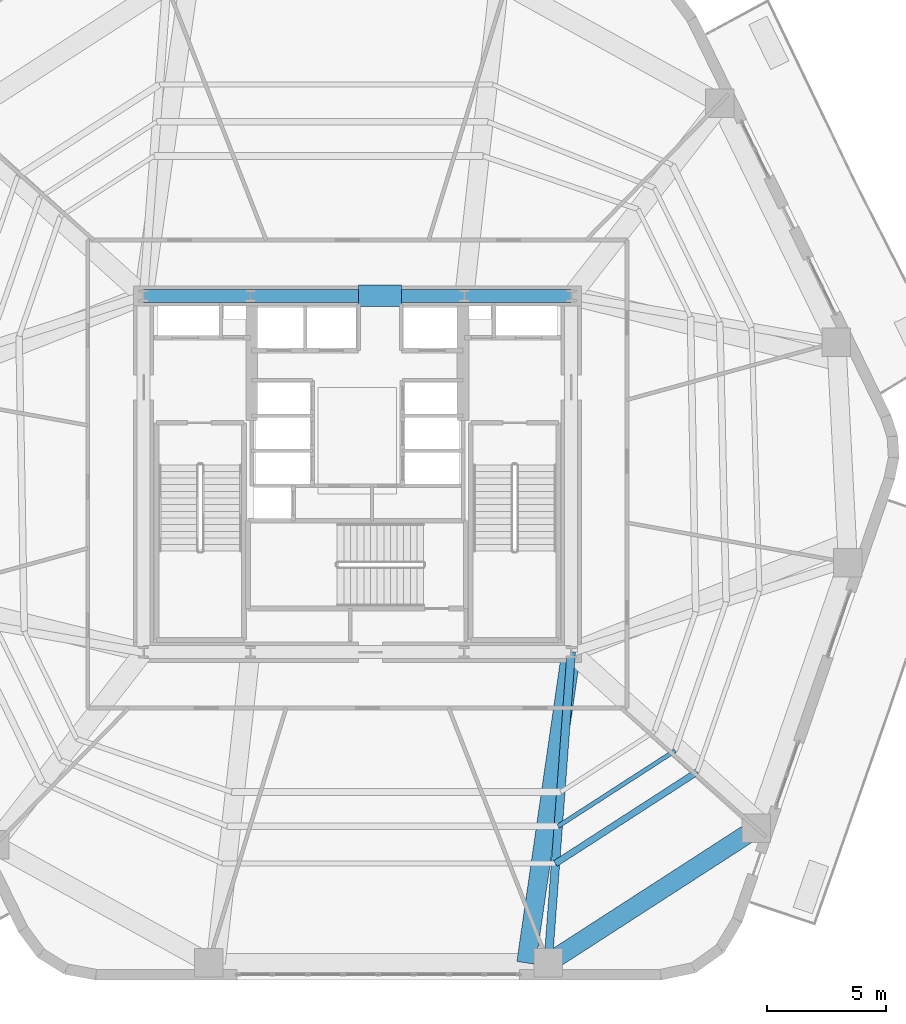
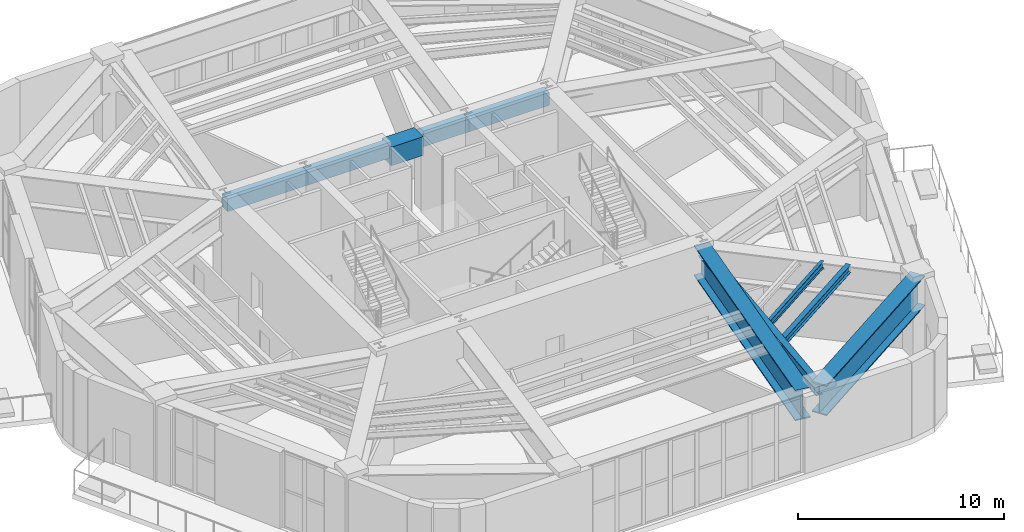
# One storey, part 7 of 22: 9 beams.
"""IFC4 building model written with IfcOpenShell, lengths in metres."""

from ifc_helpers import new_model, si_unit, direction, frame, origin, origin_2d, place, context, subcontext, project, spatial, rectangle, i_section, extrude, material, material_profile, profile_set, type_object, element, save


model = new_model("IFC4")

# Units and contexts
model_context = context("Model", 3, precision=1e-05, world=origin(), true_north=direction((0.0, 1.0)))
body_context = subcontext(model_context, "Body", "Model", "MODEL_VIEW")
ifc_project = project(units=[si_unit("LENGTHUNIT", "METRE"), si_unit("AREAUNIT", "SQUARE_METRE"), si_unit("VOLUMEUNIT", "CUBIC_METRE"), si_unit("PLANEANGLEUNIT", "RADIAN"), si_unit("MASSUNIT", "GRAM", prefix="KILO")], contexts=[model_context])

# Site, building, storey
site_placement = place(None, origin())
site = spatial("IfcSite", under=ifc_project, at=site_placement, CompositionType="ELEMENT")
building_placement = place(site_placement, origin())
building = spatial("IfcBuilding", under=site, at=building_placement, Name="Kilnhurst Terrace Hotel", CompositionType="ELEMENT")
storey_placement = place(building_placement, frame((0.0, 0.0, 139.5)))
storey = spatial("IfcBuildingStorey", under=building, at=storey_placement, Name="L34", CompositionType="ELEMENT", Elevation=139.5)

# Beams
ifc_material_1 = material(Name="Concrete C50/60", Category="concrete")
ifc_material_profile_1 = material_profile(ifc_material_1, rectangle(XDim=0.550048828125, YDim=0.75, at=origin_2d()), Name="RC550X750")
ifc_profile_set_1 = profile_set([ifc_material_profile_1], Name="Concrete C50/60")
beam_type_1 = type_object("IfcBeamType", Name="BM-SPN-550X750", PredefinedType="SPANDREL", material=ifc_profile_set_1)
beam_1_placement = place(storey_placement, frame((-9.0, 7.5, 4.125), z_axis=(1.0, 0.0, 0.0), x_axis=(0.0, 1.0, 0.0)))
element("IfcBeam", 1, at=beam_1_placement, inside=storey, type_object=beam_type_1, Name="L34 Core Tie Beam CC-NW to CC-NC1", PredefinedType="SPANDREL", context=body_context, shape_type="SweptSolid", body=[
    extrude(rectangle(XDim=0.550048828125, YDim=0.75, at=origin_2d()), origin(), (0.0, 0.0, 1.0), 4.5),
])
beam_2_placement = place(storey_placement, frame((-4.5, 7.5, 4.125), z_axis=(1.0, 0.0, 0.0), x_axis=(0.0, 1.0, 0.0)))
element("IfcBeam", 2, at=beam_2_placement, inside=storey, type_object=beam_type_1, Name="L34 Core Tie Beam CC-NC1 to CC-NC2", PredefinedType="SPANDREL", context=body_context, shape_type="SweptSolid", body=[
    extrude(rectangle(XDim=0.550048828125, YDim=0.75, at=origin_2d()), origin(), (0.0, 0.0, 1.0), 9.0),
])
beam_3_placement = place(storey_placement, frame((4.5, 7.5, 4.125), z_axis=(1.0, 0.0, 0.0), x_axis=(0.0, 1.0, 0.0)))
element("IfcBeam", 3, at=beam_3_placement, inside=storey, type_object=beam_type_1, Name="L34 Core Tie Beam CC-NC2 to CC-NE", PredefinedType="SPANDREL", context=body_context, shape_type="SweptSolid", body=[
    extrude(rectangle(XDim=0.550048828125, YDim=0.75, at=origin_2d()), origin(), (0.0, 0.0, 1.0), 4.5),
])
ifc_material_2 = material(Name="Steel ASTM A992 Grade 50", Category="steel")
ifc_material_profile_2 = material_profile(ifc_material_2, i_section(OverallWidth=0.354736328125, OverallDepth=0.695556640625, WebThickness=0.015380859375, FlangeThickness=0.025146484375, at=origin_2d()), Name="W27X146")
ifc_profile_set_2 = profile_set([ifc_material_profile_2], Name="Steel ASTM A992 Grade 50")
beam_type_2 = type_object("IfcBeamType", Name="BM-STL-W27X146", PredefinedType="BEAM", material=ifc_profile_set_2)
beam_4_placement = place(storey_placement, frame((9.0, -7.5, 4.152099609375), z_axis=(-0.074101371747, -0.997250714066, 0.0), x_axis=(0.997250714066, -0.074101371747, 0.0)))
element("IfcBeam", 4, at=beam_4_placement, inside=storey, type_object=beam_type_2, Name="L34 Radial Floor Beam 2", PredefinedType="BEAM", context=body_context, shape_type="SweptSolid", body=[
    extrude(i_section(OverallWidth=0.354736328125, OverallDepth=0.695556640625, WebThickness=0.015380859375, FlangeThickness=0.025146484375, at=origin_2d()), origin(), (0.0, 0.0, 1.0), 13.1162109375),
])
ifc_material_profile_3 = material_profile(ifc_material_2, i_section(OverallWidth=0.180908203125, OverallDepth=0.417236328125, WebThickness=0.010986328125, FlangeThickness=0.018310546875, at=origin_2d()), Name="W16X57")
ifc_profile_set_3 = profile_set([ifc_material_profile_3], Name="Steel ASTM A992 Grade 50")
beam_type_3 = type_object("IfcBeamType", Name="JST-STL-W16X57", PredefinedType="JOIST", material=ifc_profile_set_3)
beam_5_placement = place(storey_placement, frame((8.455810546875, -14.82470703125, 4.291015625), z_axis=(0.839871291105, 0.542785606274, 0.0), x_axis=(-0.542785606274, 0.839871291105, 0.0)))
element("IfcBeam", 5, at=beam_5_placement, inside=storey, type_object=beam_type_3, Name="L34 Secondary Floor Steel Joist MID.2", PredefinedType="JOIST", context=body_context, shape_type="SweptSolid", body=[
    extrude(i_section(OverallWidth=0.180908203125, OverallDepth=0.417236328125, WebThickness=0.010986328125, FlangeThickness=0.018310546875, at=origin_2d()), origin(), (0.0, 0.0, 1.0), 5.8486328125),
])
ifc_material_profile_4 = material_profile(ifc_material_2, i_section(OverallWidth=0.279296875, OverallDepth=0.462890625, WebThickness=0.0107421875, FlangeThickness=0.017333984375, at=origin_2d()), Name="W18X76")
ifc_profile_set_4 = profile_set([ifc_material_profile_4], Name="Steel ASTM A992 Grade 50")
beam_type_4 = type_object("IfcBeamType", Name="JST-STL-W18X76", PredefinedType="JOIST", material=ifc_profile_set_4)
beam_6_placement = place(storey_placement, frame((8.339111328125, -16.394287109375, 4.26806640625), z_axis=(0.839882675086, 0.542767991034, 0.0), x_axis=(-0.542767991034, 0.839882675086, 0.0)))
element("IfcBeam", 6, at=beam_6_placement, inside=storey, type_object=beam_type_4, Name="L34 Secondary Floor Steel Joist OUT.2", PredefinedType="JOIST", context=body_context, shape_type="SweptSolid", body=[
    extrude(i_section(OverallWidth=0.279296875, OverallDepth=0.462890625, WebThickness=0.0107421875, FlangeThickness=0.017333984375, at=origin_2d()), origin(), (0.0, 0.0, 1.0), 7.10205078125),
])
ifc_material_3 = material(Name="Concrete C80/95", Category="concrete")
ifc_material_profile_5 = material_profile(ifc_material_3, rectangle(XDim=0.89990234375, YDim=1.10009765625, at=origin_2d()), Name="RC900X1100")
ifc_profile_set_5 = profile_set([ifc_material_profile_5], Name="Concrete C80/95")
beam_type_5 = type_object("IfcBeamType", Name="LNT-CB-900X1100", PredefinedType="LINTEL", material=ifc_profile_set_5)
beam_7_placement = place(storey_placement, frame((0.050048828125, 7.5, 3.949951171875), z_axis=(1.0, 0.0, 0.0), x_axis=(0.0, 1.0, 0.0)))
element("IfcBeam", 7, at=beam_7_placement, inside=storey, type_object=beam_type_5, Name="L34 North Core Coupling Link Beam", PredefinedType="LINTEL", context=body_context, shape_type="SweptSolid", body=[
    extrude(rectangle(XDim=0.89990234375, YDim=1.10009765625, at=origin_2d()), origin(), (0.0, 0.0, 1.0), 1.800048828125),
])
ifc_material_4 = material(Name="Steel ASTM A572 Grade 50", Category="steel")
ifc_material_profile_6 = material_profile(ifc_material_4, i_section(OverallWidth=0.800048828125, OverallDepth=1.800048828125, WebThickness=0.0400390625, FlangeThickness=0.06494140625, at=origin_2d()), Name="PG1800X800")
ifc_profile_set_6 = profile_set([ifc_material_profile_6], Name="Steel ASTM A572 Grade 50")
beam_type_6 = type_object("IfcBeamType", Name="TG-STEP-1800", PredefinedType="USERDEFINED", material=ifc_profile_set_6)
beam_8_placement = place(storey_placement, frame((8.028076171875, -20.580078125, 3.60009765625), z_axis=(0.839866667472, 0.542792760517, 0.0), x_axis=(-0.542792760517, 0.839866667472, 0.0)))
element("IfcBeam", 8, at=beam_8_placement, inside=storey, type_object=beam_type_6, Name="L34 Zone Step Perimeter Transfer Girder 2", ObjectType="GIRDER", PredefinedType="USERDEFINED", context=body_context, shape_type="SweptSolid", body=[
    extrude(i_section(OverallWidth=0.800048828125, OverallDepth=1.800048828125, WebThickness=0.0400390625, FlangeThickness=0.06494140625, at=origin_2d()), origin(), (0.0, 0.0, 1.0), 10.444580078125),
])
beam_9_placement = place(storey_placement, frame((9.0, -7.5, 3.60009765625), z_axis=(-0.143109947588, -0.989706796431, 0.0), x_axis=(0.989706796431, -0.143109947588, 0.0)))
element("IfcBeam", 9, at=beam_9_placement, inside=storey, type_object=beam_type_6, Name="L34 Zone Step Radial Transfer Girder 2", ObjectType="GIRDER", PredefinedType="USERDEFINED", context=body_context, shape_type="SweptSolid", body=[
    extrude(i_section(OverallWidth=0.800048828125, OverallDepth=1.800048828125, WebThickness=0.0400390625, FlangeThickness=0.06494140625, at=origin_2d()), origin(), (0.0, 0.0, 1.0), 13.216064453125),
])

save(model, "model.ifc")
